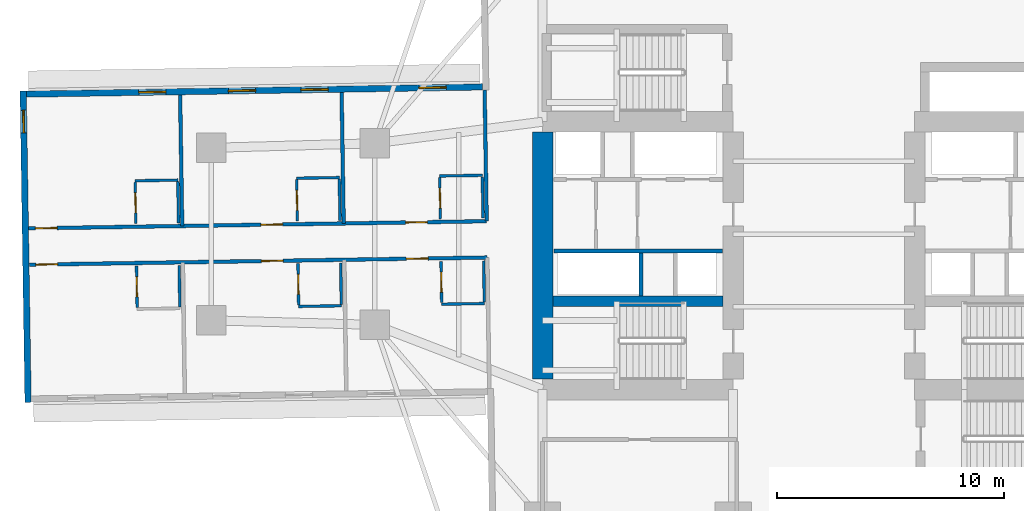
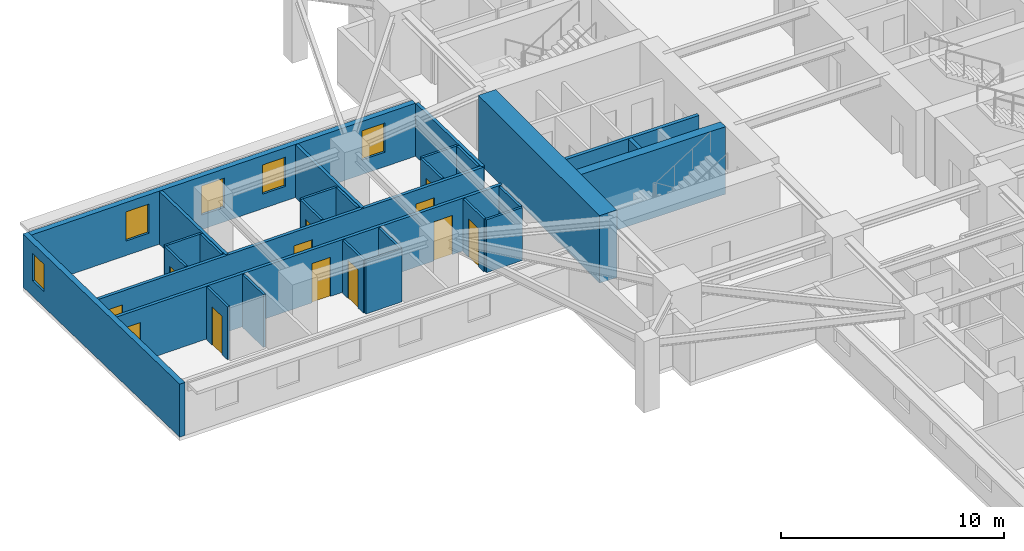
# One storey, part 5 of 14: 28 walls, 12 doors, 5 windows, 17 openings.
"""IFC4 building model written with IfcOpenShell, lengths in metres."""

from ifc_helpers import new_model, si_unit, direction, frame, frame_2d, origin, place, context, subcontext, project, spatial, rectangle, extrude, material, layer, layer_set, type_object, element, fill, save


model = new_model("IFC4")

# Units and contexts
model_context = context("Model", 3, precision=1e-05, world=origin(), true_north=direction((0.0, 1.0)))
body_context = subcontext(model_context, "Body", "Model", "MODEL_VIEW")
ifc_project = project(units=[si_unit("LENGTHUNIT", "METRE"), si_unit("AREAUNIT", "SQUARE_METRE"), si_unit("VOLUMEUNIT", "CUBIC_METRE"), si_unit("PLANEANGLEUNIT", "RADIAN"), si_unit("MASSUNIT", "GRAM", prefix="KILO")], contexts=[model_context])

# Site, building, storey
site_placement = place(None, origin())
site = spatial("IfcSite", under=ifc_project, at=site_placement, CompositionType="ELEMENT")
building_placement = place(site_placement, origin())
building = spatial("IfcBuilding", under=site, at=building_placement, Name="Qingluan Cross Belvedere", CompositionType="ELEMENT")
storey_placement = place(building_placement, frame((0.0, 0.0, 27.60009765625)))
storey = spatial("IfcBuildingStorey", under=building, at=storey_placement, Name="L07", CompositionType="ELEMENT", Elevation=27.60009765625)

# Walls
ifc_material_1 = material(Name="Concrete C50", Category="concrete")
ifc_layer_1 = layer(ifc_material_1, 0.449951171875, Name="CoreShearWall_450")
ifc_layer_set_1 = layer_set([ifc_layer_1], Name="Concrete C50")
wall_type_1 = type_object("IfcWallType", Name="CoreShearWall_450", PredefinedType="SHEAR", material=ifc_layer_set_1)
wall_1_placement = place(storey_placement, frame((-11.945068359375, -2.9599609375, 0.0), z_axis=(0.0, 0.0, 1.0), x_axis=(1.0, 0.0, 0.0)))
element("IfcWall", 1, at=wall_1_placement, inside=storey, type_object=wall_type_1, Name="Split core W shear wall L07-M", PredefinedType="SHEAR", context=body_context, shape_type="SweptSolid", body=[
    extrude(rectangle(XDim=7.489990234375, YDim=0.449951171875, at=frame_2d((3.7451171875, 0.0))), origin(), (0.0, 0.0, 1.0), 3.699951171875),
])
ifc_material_2 = material(Name="Concrete C70", Category="concrete")
ifc_layer_2 = layer(ifc_material_2, 0.89990234375, Name="CoreShearWall_900")
ifc_layer_set_2 = layer_set([ifc_layer_2], Name="Concrete C70")
wall_type_2 = type_object("IfcWallType", Name="CoreShearWall_900", PredefinedType="SHEAR", material=ifc_layer_set_2)
wall_2_placement = place(storey_placement, frame((-12.39990234375, -6.39501953125, 0.0), z_axis=(0.0, 0.0, 1.0), x_axis=(0.0, 1.0, 0.0)))
element("IfcWall", 2, at=wall_2_placement, inside=storey, type_object=wall_type_2, Name="Split core W shear wall L07-W", PredefinedType="SHEAR", context=body_context, shape_type="SweptSolid", body=[
    extrude(rectangle(XDim=10.89013671875, YDim=0.89990234375, at=frame_2d((5.445068359375, 0.0))), origin(), (0.0, 0.0, 1.0), 3.699951171875),
])

# Wall, openings, doors
ifc_material_3 = material(Name="Gypsum plasterboard on steel stud acoustic partition", Category="steel")
ifc_layer_3 = layer(ifc_material_3, 0.159912109375, Name="CorridorPartition_160")
ifc_layer_set_3 = layer_set([ifc_layer_3], Name="Gypsum plasterboard on steel stud acoustic partition")
wall_type_3 = type_object("IfcWallType", Name="CorridorPartition_160", PredefinedType="PARTITIONING", material=ifc_layer_set_3)
wall_3_placement = place(storey_placement, frame((-14.860595703125, 0.566650390625, 0.0), z_axis=(0.0, 0.0, 1.0), x_axis=(-0.999876530668, -0.015713797103, 0.0)))
wall_3 = element("IfcWall", 3, at=wall_3_placement, inside=storey, type_object=wall_type_3, Name="Partition L07:W:c0", PredefinedType="PARTITIONING", context=body_context, shape_type="SweptSolid", body=[
    extrude(rectangle(XDim=20.18212890625, YDim=0.159912109375, at=frame_2d((10.091064453125, 0.0))), origin(), (0.0, 0.0, 1.0), 2.89990234375),
])
opening_1_placement = place(wall_3_placement, frame((2.610107421875, 0.0, 0.0)))
opening_1 = element("IfcOpeningElement", 4, at=opening_1_placement, cuts=wall_3, Name="Opening GD-10", PredefinedType="OPENING", context=body_context, shape_type="SweptSolid", body=[
    extrude(rectangle(XDim=0.9599609375, YDim=2.14990234375, at=frame_2d((0.47998046875, 1.074951171875))), frame((0.0, 0.08984375, 0.0), z_axis=(0.0, -1.0, 0.0), x_axis=(1.0, 0.0, 0.0)), (0.0, 0.0, 1.0), 0.179931640625),
])
opening_2_placement = place(wall_3_placement, frame((8.993896484375, 0.0, 0.0)))
opening_2 = element("IfcOpeningElement", 5, at=opening_2_placement, cuts=wall_3, Name="Opening GD-10", PredefinedType="OPENING", context=body_context, shape_type="SweptSolid", body=[
    extrude(rectangle(XDim=0.9599609375, YDim=2.14990234375, at=frame_2d((0.47998046875, 1.074951171875))), frame((0.0, 0.08984375, 0.0), z_axis=(0.0, -1.0, 0.0), x_axis=(1.0, 0.0, 0.0)), (0.0, 0.0, 1.0), 0.179931640625),
])
opening_3_placement = place(wall_3_placement, frame((18.929931640625, 0.0, 0.0)))
opening_3 = element("IfcOpeningElement", 6, at=opening_3_placement, cuts=wall_3, Name="Opening GD-10", PredefinedType="OPENING", context=body_context, shape_type="SweptSolid", body=[
    extrude(rectangle(XDim=0.9599609375, YDim=2.14990234375, at=frame_2d((0.47998046875, 1.074951171875))), frame((0.0, 0.08984375, 0.0), z_axis=(0.0, -1.0, 0.0), x_axis=(1.0, 0.0, 0.0)), (0.0, 0.0, 1.0), 0.179931640625),
])
ifc_material_4 = material(Name="Timber oak fire-rated acoustic guestroom door", Category="wood")
door_type_1 = type_object("IfcDoorType", Name="GuestEntryDoor_FD60", OperationType="NOTDEFINED", PredefinedType="DOOR", material=ifc_material_4)
door_1_placement = place(opening_1_placement, origin())
door_1 = element("IfcDoor", 7, at=door_1_placement, inside=storey, type_object=door_type_1, Name="Guest entry fire door 0707", OperationType="SINGLE_SWING_LEFT", OverallHeight=2.14990234375, OverallWidth=0.9599609375, PredefinedType="DOOR", context=body_context, shape_type="SweptSolid", body=[
    extrude(rectangle(XDim=0.9599609375, YDim=2.14990234375, at=frame_2d((0.47998046875, 1.074951171875))), frame((0.0, 0.02490234375, 0.0), z_axis=(0.0, -1.0, 0.0), x_axis=(1.0, 0.0, 0.0)), (0.0, 0.0, 1.0), 0.050048828125),
])
fill(opening_1, door_1)
door_2_placement = place(opening_2_placement, origin())
door_2 = element("IfcDoor", 8, at=door_2_placement, inside=storey, type_object=door_type_1, Name="Guest entry fire door 0708", OperationType="SINGLE_SWING_LEFT", OverallHeight=2.14990234375, OverallWidth=0.9599609375, PredefinedType="DOOR", context=body_context, shape_type="SweptSolid", body=[
    extrude(rectangle(XDim=0.9599609375, YDim=2.14990234375, at=frame_2d((0.47998046875, 1.074951171875))), frame((0.0, 0.02490234375, 0.0), z_axis=(0.0, -1.0, 0.0), x_axis=(1.0, 0.0, 0.0)), (0.0, 0.0, 1.0), 0.050048828125),
])
fill(opening_2, door_2)
door_3_placement = place(opening_3_placement, origin())
door_3 = element("IfcDoor", 9, at=door_3_placement, inside=storey, type_object=door_type_1, Name="Guest entry fire door 0709", OperationType="SINGLE_SWING_LEFT", OverallHeight=2.14990234375, OverallWidth=0.9599609375, PredefinedType="DOOR", context=body_context, shape_type="SweptSolid", body=[
    extrude(rectangle(XDim=0.9599609375, YDim=2.14990234375, at=frame_2d((0.47998046875, 1.074951171875))), frame((0.0, 0.02490234375, 0.0), z_axis=(0.0, -1.0, 0.0), x_axis=(1.0, 0.0, 0.0)), (0.0, 0.0, 1.0), 0.050048828125),
])
fill(opening_3, door_3)

# Walls
for number, where, z_axis, x_axis, name in (
    (10, (-14.860595703125, 0.566650390625, 0.0), (0.0, 0.0, 1.0), (-0.015734758102, 0.999876201031, 0.0), "Partition L07:W:s0"),
    (11, (-21.162109375, 0.4677734375, 0.0), (0.0, 0.0, 1.0), (-0.015692470796, 0.999876865599, 0.0), "Partition L07:W:d0_0"),
    (12, (-28.277099609375, 0.35595703125, 0.0), (0.0, 0.0, 1.0), (-0.015734758102, 0.999876201031, 0.0), "Partition L07:W:d0_1"),
):
    element("IfcWall", number, at=place(storey_placement, frame(where, z_axis=z_axis, x_axis=x_axis)), inside=storey, type_object=wall_type_3, Name=name, PredefinedType="PARTITIONING", context=body_context, shape_type="SweptSolid", body=[
        extrude(rectangle(XDim=5.77197265625, YDim=0.159912109375, at=frame_2d((2.885986328125, 0.0))), origin(), (0.0, 0.0, 1.0), 2.89990234375),
    ])

# Wall, openings, doors
wall_4_placement = place(storey_placement, frame((-14.835693359375, -1.033203125, 0.0), z_axis=(0.0, 0.0, 1.0), x_axis=(-0.999876717676, -0.015701893165, 0.0)))
wall_4 = element("IfcWall", 13, at=wall_4_placement, inside=storey, type_object=wall_type_3, Name="Partition L07:W:c1", PredefinedType="PARTITIONING", context=body_context, shape_type="SweptSolid", body=[
    extrude(rectangle(XDim=20.181884765625, YDim=0.159912109375, at=frame_2d((10.0908203125, 0.0))), origin(), (0.0, 0.0, 1.0), 2.89990234375),
])
opening_4_placement = place(wall_4_placement, frame((2.610107421875, 0.0, 0.0)))
opening_4 = element("IfcOpeningElement", 14, at=opening_4_placement, cuts=wall_4, Name="Opening GD-10", PredefinedType="OPENING", context=body_context, shape_type="SweptSolid", body=[
    extrude(rectangle(XDim=0.9599609375, YDim=2.14990234375, at=frame_2d((0.47998046875, 1.074951171875))), frame((0.0, 0.08984375, 0.0), z_axis=(0.0, -1.0, 0.0), x_axis=(1.0, 0.0, 0.0)), (0.0, 0.0, 1.0), 0.179931640625),
])
opening_5_placement = place(wall_4_placement, frame((8.993896484375, 0.0, 0.0)))
opening_5 = element("IfcOpeningElement", 15, at=opening_5_placement, cuts=wall_4, Name="Opening GD-10", PredefinedType="OPENING", context=body_context, shape_type="SweptSolid", body=[
    extrude(rectangle(XDim=0.9599609375, YDim=2.14990234375, at=frame_2d((0.47998046875, 1.074951171875))), frame((0.0, 0.08984375, 0.0), z_axis=(0.0, -1.0, 0.0), x_axis=(1.0, 0.0, 0.0)), (0.0, 0.0, 1.0), 0.179931640625),
])
opening_6_placement = place(wall_4_placement, frame((18.929931640625, 0.0, 0.0)))
opening_6 = element("IfcOpeningElement", 16, at=opening_6_placement, cuts=wall_4, Name="Opening GD-10", PredefinedType="OPENING", context=body_context, shape_type="SweptSolid", body=[
    extrude(rectangle(XDim=0.9599609375, YDim=2.14990234375, at=frame_2d((0.47998046875, 1.074951171875))), frame((0.0, 0.08984375, 0.0), z_axis=(0.0, -1.0, 0.0), x_axis=(1.0, 0.0, 0.0)), (0.0, 0.0, 1.0), 0.179931640625),
])
door_4_placement = place(opening_4_placement, origin())
door_4 = element("IfcDoor", 17, at=door_4_placement, inside=storey, type_object=door_type_1, Name="Guest entry fire door 0710", OperationType="SINGLE_SWING_LEFT", OverallHeight=2.14990234375, OverallWidth=0.9599609375, PredefinedType="DOOR", context=body_context, shape_type="SweptSolid", body=[
    extrude(rectangle(XDim=0.9599609375, YDim=2.14990234375, at=frame_2d((0.47998046875, 1.074951171875))), frame((0.0, 0.02490234375, 0.0), z_axis=(0.0, -1.0, 0.0), x_axis=(1.0, 0.0, 0.0)), (0.0, 0.0, 1.0), 0.050048828125),
])
fill(opening_4, door_4)
door_5_placement = place(opening_5_placement, origin())
door_5 = element("IfcDoor", 18, at=door_5_placement, inside=storey, type_object=door_type_1, Name="Guest entry fire door 0711", OperationType="SINGLE_SWING_LEFT", OverallHeight=2.14990234375, OverallWidth=0.9599609375, PredefinedType="DOOR", context=body_context, shape_type="SweptSolid", body=[
    extrude(rectangle(XDim=0.9599609375, YDim=2.14990234375, at=frame_2d((0.47998046875, 1.074951171875))), frame((0.0, 0.02490234375, 0.0), z_axis=(0.0, -1.0, 0.0), x_axis=(1.0, 0.0, 0.0)), (0.0, 0.0, 1.0), 0.050048828125),
])
fill(opening_5, door_5)
door_6_placement = place(opening_6_placement, origin())
door_6 = element("IfcDoor", 19, at=door_6_placement, inside=storey, type_object=door_type_1, Name="Guest entry fire door 0712", OperationType="SINGLE_SWING_LEFT", OverallHeight=2.14990234375, OverallWidth=0.9599609375, PredefinedType="DOOR", context=body_context, shape_type="SweptSolid", body=[
    extrude(rectangle(XDim=0.9599609375, YDim=2.14990234375, at=frame_2d((0.47998046875, 1.074951171875))), frame((0.0, 0.02490234375, 0.0), z_axis=(0.0, -1.0, 0.0), x_axis=(1.0, 0.0, 0.0)), (0.0, 0.0, 1.0), 0.050048828125),
])
fill(opening_6, door_6)

# Wall, opening, door
ifc_material_5 = material(Name="Moisture-resistant gypsum board lining")
ifc_layer_4 = layer(ifc_material_5, 0.1201171875, Name="EnsuiteWetPartition_120")
ifc_layer_set_4 = layer_set([ifc_layer_4], Name="Moisture-resistant gypsum board lining")
wall_type_4 = type_object("IfcWallType", Name="EnsuiteWetPartition_120", PredefinedType="PARTITIONING", material=ifc_layer_set_4)
wall_5_placement = place(storey_placement, frame((-16.902587890625, 0.674560546875, 0.0), z_axis=(0.0, 0.0, 1.0), x_axis=(-0.015828443418, 0.999874722342, 0.0)))
wall_5 = element("IfcWall", 20, at=wall_5_placement, inside=storey, type_object=wall_type_4, Name="Partition L07:W:bs0_0", PredefinedType="PARTITIONING", context=body_context, shape_type="SweptSolid", body=[
    extrude(rectangle(XDim=1.820068359375, YDim=0.1201171875, at=frame_2d((0.91015625, 0.0))), origin(), (0.0, 0.0, 1.0), 2.89990234375),
])
opening_7_placement = place(wall_5_placement, frame((0.469970703125, 0.0, 0.0)))
opening_7 = element("IfcOpeningElement", 21, at=opening_7_placement, cuts=wall_5, Name="Opening BD-09", PredefinedType="OPENING", context=body_context, shape_type="SweptSolid", body=[
    extrude(rectangle(XDim=0.8798828125, YDim=2.10009765625, at=frame_2d((0.43994140625, 1.050048828125))), frame((0.0, 0.070068359375, 0.0), z_axis=(0.0, -1.0, 0.0), x_axis=(1.0, 0.0, 0.0)), (0.0, 0.0, 1.0), 0.14013671875),
])
ifc_material_6 = material(Name="Moisture-sealed timber en-suite door", Category="wood")
door_type_2 = type_object("IfcDoorType", Name="BathroomDoor_880", OperationType="NOTDEFINED", PredefinedType="DOOR", material=ifc_material_6)
door_7_placement = place(opening_7_placement, origin())
door_7 = element("IfcDoor", 22, at=door_7_placement, inside=storey, type_object=door_type_2, Name="Bathroom door 0707", OperationType="SINGLE_SWING_RIGHT", OverallHeight=2.10009765625, OverallWidth=0.8798828125, PredefinedType="DOOR", context=body_context, shape_type="SweptSolid", body=[
    extrude(rectangle(XDim=0.8798828125, YDim=2.10009765625, at=frame_2d((0.43994140625, 1.050048828125))), frame((0.0, 0.02490234375, 0.0), z_axis=(0.0, -1.0, 0.0), x_axis=(1.0, 0.0, 0.0)), (0.0, 0.0, 1.0), 0.050048828125),
])
fill(opening_7, door_7)

# Walls
wall_6_placement = place(storey_placement, frame((-15.02294921875, 0.7041015625, 0.0), z_axis=(0.0, 0.0, 1.0), x_axis=(-0.015694337248, 0.999876836305, 0.0)))
element("IfcWall", 23, at=wall_6_placement, inside=storey, type_object=wall_type_4, Name="Partition L07:W:bw0_0", PredefinedType="PARTITIONING", context=body_context, shape_type="SweptSolid", body=[
    extrude(rectangle(XDim=1.820068359375, YDim=0.1201171875, at=frame_2d((0.91015625, 0.0))), origin(), (0.0, 0.0, 1.0), 2.89990234375),
])
wall_7_placement = place(storey_placement, frame((-15.052490234375, 2.5888671875, 0.0), z_axis=(0.0, 0.0, 1.0), x_axis=(-0.999876553475, -0.01571234584, 0.0)))
element("IfcWall", 24, at=wall_7_placement, inside=storey, type_object=wall_type_4, Name="Partition L07:W:bn0_0", PredefinedType="PARTITIONING", context=body_context, shape_type="SweptSolid", body=[
    extrude(rectangle(XDim=1.880126953125, YDim=0.1201171875, at=frame_2d((0.93994140625, 0.0))), origin(), (0.0, 0.0, 1.0), 2.89990234375),
])

# Wall, opening, door
wall_8_placement = place(storey_placement, frame((-23.203857421875, 0.57568359375, 0.0), z_axis=(0.0, 0.0, 1.0), x_axis=(-0.015694337248, 0.999876836305, 0.0)))
wall_8 = element("IfcWall", 25, at=wall_8_placement, inside=storey, type_object=wall_type_4, Name="Partition L07:W:bs0_1", PredefinedType="PARTITIONING", context=body_context, shape_type="SweptSolid", body=[
    extrude(rectangle(XDim=1.820068359375, YDim=0.1201171875, at=frame_2d((0.91015625, 0.0))), origin(), (0.0, 0.0, 1.0), 2.89990234375),
])
opening_8_placement = place(wall_8_placement, frame((0.469970703125, 0.0, 0.0)))
opening_8 = element("IfcOpeningElement", 26, at=opening_8_placement, cuts=wall_8, Name="Opening BD-09", PredefinedType="OPENING", context=body_context, shape_type="SweptSolid", body=[
    extrude(rectangle(XDim=0.8798828125, YDim=2.10009765625, at=frame_2d((0.43994140625, 1.050048828125))), frame((0.0, 0.070068359375, 0.0), z_axis=(0.0, -1.0, 0.0), x_axis=(1.0, 0.0, 0.0)), (0.0, 0.0, 1.0), 0.14013671875),
])
door_8_placement = place(opening_8_placement, origin())
door_8 = element("IfcDoor", 27, at=door_8_placement, inside=storey, type_object=door_type_2, Name="Bathroom door 0708", OperationType="SINGLE_SWING_RIGHT", OverallHeight=2.10009765625, OverallWidth=0.8798828125, PredefinedType="DOOR", context=body_context, shape_type="SweptSolid", body=[
    extrude(rectangle(XDim=0.8798828125, YDim=2.10009765625, at=frame_2d((0.43994140625, 1.050048828125))), frame((0.0, 0.02490234375, 0.0), z_axis=(0.0, -1.0, 0.0), x_axis=(1.0, 0.0, 0.0)), (0.0, 0.0, 1.0), 0.050048828125),
])
fill(opening_8, door_8)

# Walls
wall_9_placement = place(storey_placement, frame((-21.32421875, 0.60498046875, 0.0), z_axis=(0.0, 0.0, 1.0), x_axis=(-0.015694337248, 0.999876836305, 0.0)))
element("IfcWall", 28, at=wall_9_placement, inside=storey, type_object=wall_type_4, Name="Partition L07:W:bw0_1", PredefinedType="PARTITIONING", context=body_context, shape_type="SweptSolid", body=[
    extrude(rectangle(XDim=1.820068359375, YDim=0.1201171875, at=frame_2d((0.91015625, 0.0))), origin(), (0.0, 0.0, 1.0), 2.89990234375),
])
wall_10_placement = place(storey_placement, frame((-21.353759765625, 2.489990234375, 0.0), z_axis=(0.0, 0.0, 1.0), x_axis=(-0.99987652141, -0.015714386166, 0.0)))
element("IfcWall", 29, at=wall_10_placement, inside=storey, type_object=wall_type_4, Name="Partition L07:W:bn0_1", PredefinedType="PARTITIONING", context=body_context, shape_type="SweptSolid", body=[
    extrude(rectangle(XDim=1.8798828125, YDim=0.1201171875, at=frame_2d((0.93994140625, 0.0))), origin(), (0.0, 0.0, 1.0), 2.89990234375),
])

# Wall, opening, door
wall_11_placement = place(storey_placement, frame((-30.319091796875, 0.4638671875, 0.0), z_axis=(0.0, 0.0, 1.0), x_axis=(-0.015694337248, 0.999876836305, 0.0)))
wall_11 = element("IfcWall", 30, at=wall_11_placement, inside=storey, type_object=wall_type_4, Name="Partition L07:W:bs0_2", PredefinedType="PARTITIONING", context=body_context, shape_type="SweptSolid", body=[
    extrude(rectangle(XDim=1.820068359375, YDim=0.1201171875, at=frame_2d((0.91015625, 0.0))), origin(), (0.0, 0.0, 1.0), 2.89990234375),
])
opening_9_placement = place(wall_11_placement, frame((0.469970703125, 0.0, 0.0)))
opening_9 = element("IfcOpeningElement", 31, at=opening_9_placement, cuts=wall_11, Name="Opening BD-09", PredefinedType="OPENING", context=body_context, shape_type="SweptSolid", body=[
    extrude(rectangle(XDim=0.8798828125, YDim=2.10009765625, at=frame_2d((0.43994140625, 1.050048828125))), frame((0.0, 0.070068359375, 0.0), z_axis=(0.0, -1.0, 0.0), x_axis=(1.0, 0.0, 0.0)), (0.0, 0.0, 1.0), 0.14013671875),
])
door_9_placement = place(opening_9_placement, origin())
door_9 = element("IfcDoor", 32, at=door_9_placement, inside=storey, type_object=door_type_2, Name="Bathroom door 0709", OperationType="SINGLE_SWING_RIGHT", OverallHeight=2.10009765625, OverallWidth=0.8798828125, PredefinedType="DOOR", context=body_context, shape_type="SweptSolid", body=[
    extrude(rectangle(XDim=0.8798828125, YDim=2.10009765625, at=frame_2d((0.43994140625, 1.050048828125))), frame((0.0, 0.02490234375, 0.0), z_axis=(0.0, -1.0, 0.0), x_axis=(1.0, 0.0, 0.0)), (0.0, 0.0, 1.0), 0.050048828125),
])
fill(opening_9, door_9)

# Walls
wall_12_placement = place(storey_placement, frame((-28.439208984375, 0.493408203125, 0.0), z_axis=(0.0, 0.0, 1.0), x_axis=(-0.015696442504, 0.999876803258, 0.0)))
element("IfcWall", 33, at=wall_12_placement, inside=storey, type_object=wall_type_4, Name="Partition L07:W:bw0_2", PredefinedType="PARTITIONING", context=body_context, shape_type="SweptSolid", body=[
    extrude(rectangle(XDim=1.81982421875, YDim=0.1201171875, at=frame_2d((0.909912109375, 0.0))), origin(), (0.0, 0.0, 1.0), 2.89990234375),
])
wall_13_placement = place(storey_placement, frame((-28.468994140625, 2.378173828125, 0.0), z_axis=(0.0, 0.0, 1.0), x_axis=(-0.99987652141, -0.015714386166, 0.0)))
element("IfcWall", 34, at=wall_13_placement, inside=storey, type_object=wall_type_4, Name="Partition L07:W:bn0_2", PredefinedType="PARTITIONING", context=body_context, shape_type="SweptSolid", body=[
    extrude(rectangle(XDim=1.8798828125, YDim=0.1201171875, at=frame_2d((0.93994140625, 0.0))), origin(), (0.0, 0.0, 1.0), 2.89990234375),
])

# Wall, opening, door
wall_14_placement = place(storey_placement, frame((-16.844482421875, -3.02490234375, 0.0), z_axis=(0.0, 0.0, 1.0), x_axis=(-0.015828443418, 0.999874722342, 0.0)))
wall_14 = element("IfcWall", 35, at=wall_14_placement, inside=storey, type_object=wall_type_4, Name="Partition L07:W:bs1_0", PredefinedType="PARTITIONING", context=body_context, shape_type="SweptSolid", body=[
    extrude(rectangle(XDim=1.820068359375, YDim=0.1201171875, at=frame_2d((0.91015625, 0.0))), origin(), (0.0, 0.0, 1.0), 2.89990234375),
])
opening_10_placement = place(wall_14_placement, frame((0.469970703125, 0.0, 0.0)))
opening_10 = element("IfcOpeningElement", 36, at=opening_10_placement, cuts=wall_14, Name="Opening BD-09", PredefinedType="OPENING", context=body_context, shape_type="SweptSolid", body=[
    extrude(rectangle(XDim=0.8798828125, YDim=2.10009765625, at=frame_2d((0.43994140625, 1.050048828125))), frame((0.0, 0.070068359375, 0.0), z_axis=(0.0, -1.0, 0.0), x_axis=(1.0, 0.0, 0.0)), (0.0, 0.0, 1.0), 0.14013671875),
])
door_10_placement = place(opening_10_placement, origin())
door_10 = element("IfcDoor", 37, at=door_10_placement, inside=storey, type_object=door_type_2, Name="Bathroom door 0710", OperationType="SINGLE_SWING_RIGHT", OverallHeight=2.10009765625, OverallWidth=0.8798828125, PredefinedType="DOOR", context=body_context, shape_type="SweptSolid", body=[
    extrude(rectangle(XDim=0.8798828125, YDim=2.10009765625, at=frame_2d((0.43994140625, 1.050048828125))), frame((0.0, 0.02490234375, 0.0), z_axis=(0.0, -1.0, 0.0), x_axis=(1.0, 0.0, 0.0)), (0.0, 0.0, 1.0), 0.050048828125),
])
fill(opening_10, door_10)

# Walls
wall_15_placement = place(storey_placement, frame((-14.96484375, -2.995361328125, 0.0), z_axis=(0.0, 0.0, 1.0), x_axis=(-0.015696442504, 0.999876803258, 0.0)))
element("IfcWall", 38, at=wall_15_placement, inside=storey, type_object=wall_type_4, Name="Partition L07:W:bw1_0", PredefinedType="PARTITIONING", context=body_context, shape_type="SweptSolid", body=[
    extrude(rectangle(XDim=1.81982421875, YDim=0.1201171875, at=frame_2d((0.909912109375, 0.0))), origin(), (0.0, 0.0, 1.0), 2.89990234375),
])
wall_16_placement = place(storey_placement, frame((-14.9638671875, -3.060302734375, 0.0), z_axis=(0.0, 0.0, 1.0), x_axis=(-0.99987652141, -0.015714386166, 0.0)))
element("IfcWall", 39, at=wall_16_placement, inside=storey, type_object=wall_type_4, Name="Partition L07:W:bc1_0", PredefinedType="PARTITIONING", context=body_context, shape_type="SweptSolid", body=[
    extrude(rectangle(XDim=1.8798828125, YDim=0.1201171875, at=frame_2d((0.93994140625, 0.0))), origin(), (0.0, 0.0, 1.0), 2.89990234375),
])

# Wall, opening, door
wall_17_placement = place(storey_placement, frame((-23.145751953125, -3.123779296875, 0.0), z_axis=(0.0, 0.0, 1.0), x_axis=(-0.015696442504, 0.999876803258, 0.0)))
wall_17 = element("IfcWall", 40, at=wall_17_placement, inside=storey, type_object=wall_type_4, Name="Partition L07:W:bs1_1", PredefinedType="PARTITIONING", context=body_context, shape_type="SweptSolid", body=[
    extrude(rectangle(XDim=1.81982421875, YDim=0.1201171875, at=frame_2d((0.909912109375, 0.0))), origin(), (0.0, 0.0, 1.0), 2.89990234375),
])
opening_11_placement = place(wall_17_placement, frame((0.469970703125, 0.0, 0.0)))
opening_11 = element("IfcOpeningElement", 41, at=opening_11_placement, cuts=wall_17, Name="Opening BD-09", PredefinedType="OPENING", context=body_context, shape_type="SweptSolid", body=[
    extrude(rectangle(XDim=0.8798828125, YDim=2.10009765625, at=frame_2d((0.43994140625, 1.050048828125))), frame((0.0, 0.070068359375, 0.0), z_axis=(0.0, -1.0, 0.0), x_axis=(1.0, 0.0, 0.0)), (0.0, 0.0, 1.0), 0.14013671875),
])
door_11_placement = place(opening_11_placement, origin())
door_11 = element("IfcDoor", 42, at=door_11_placement, inside=storey, type_object=door_type_2, Name="Bathroom door 0711", OperationType="SINGLE_SWING_RIGHT", OverallHeight=2.10009765625, OverallWidth=0.8798828125, PredefinedType="DOOR", context=body_context, shape_type="SweptSolid", body=[
    extrude(rectangle(XDim=0.8798828125, YDim=2.10009765625, at=frame_2d((0.43994140625, 1.050048828125))), frame((0.0, 0.02490234375, 0.0), z_axis=(0.0, -1.0, 0.0), x_axis=(1.0, 0.0, 0.0)), (0.0, 0.0, 1.0), 0.050048828125),
])
fill(opening_11, door_11)

# Walls
wall_18_placement = place(storey_placement, frame((-21.26611328125, -3.094482421875, 0.0), z_axis=(0.0, 0.0, 1.0), x_axis=(-0.015694337248, 0.999876836305, 0.0)))
element("IfcWall", 43, at=wall_18_placement, inside=storey, type_object=wall_type_4, Name="Partition L07:W:bw1_1", PredefinedType="PARTITIONING", context=body_context, shape_type="SweptSolid", body=[
    extrude(rectangle(XDim=1.820068359375, YDim=0.1201171875, at=frame_2d((0.91015625, 0.0))), origin(), (0.0, 0.0, 1.0), 2.89990234375),
])
wall_19_placement = place(storey_placement, frame((-21.264892578125, -3.159423828125, 0.0), z_axis=(0.0, 0.0, 1.0), x_axis=(-0.999876553475, -0.01571234584, 0.0)))
element("IfcWall", 44, at=wall_19_placement, inside=storey, type_object=wall_type_4, Name="Partition L07:W:bc1_1", PredefinedType="PARTITIONING", context=body_context, shape_type="SweptSolid", body=[
    extrude(rectangle(XDim=1.880126953125, YDim=0.1201171875, at=frame_2d((0.93994140625, 0.0))), origin(), (0.0, 0.0, 1.0), 2.89990234375),
])

# Wall, opening, door
wall_20_placement = place(storey_placement, frame((-30.260986328125, -3.235595703125, 0.0), z_axis=(0.0, 0.0, 1.0), x_axis=(-0.015696442504, 0.999876803258, 0.0)))
wall_20 = element("IfcWall", 45, at=wall_20_placement, inside=storey, type_object=wall_type_4, Name="Partition L07:W:bs1_2", PredefinedType="PARTITIONING", context=body_context, shape_type="SweptSolid", body=[
    extrude(rectangle(XDim=1.81982421875, YDim=0.1201171875, at=frame_2d((0.909912109375, 0.0))), origin(), (0.0, 0.0, 1.0), 2.89990234375),
])
opening_12_placement = place(wall_20_placement, frame((0.469970703125, 0.0, 0.0)))
opening_12 = element("IfcOpeningElement", 46, at=opening_12_placement, cuts=wall_20, Name="Opening BD-09", PredefinedType="OPENING", context=body_context, shape_type="SweptSolid", body=[
    extrude(rectangle(XDim=0.8798828125, YDim=2.10009765625, at=frame_2d((0.43994140625, 1.050048828125))), frame((0.0, 0.070068359375, 0.0), z_axis=(0.0, -1.0, 0.0), x_axis=(1.0, 0.0, 0.0)), (0.0, 0.0, 1.0), 0.14013671875),
])
door_12_placement = place(opening_12_placement, origin())
door_12 = element("IfcDoor", 47, at=door_12_placement, inside=storey, type_object=door_type_2, Name="Bathroom door 0712", OperationType="SINGLE_SWING_RIGHT", OverallHeight=2.10009765625, OverallWidth=0.8798828125, PredefinedType="DOOR", context=body_context, shape_type="SweptSolid", body=[
    extrude(rectangle(XDim=0.8798828125, YDim=2.10009765625, at=frame_2d((0.43994140625, 1.050048828125))), frame((0.0, 0.02490234375, 0.0), z_axis=(0.0, -1.0, 0.0), x_axis=(1.0, 0.0, 0.0)), (0.0, 0.0, 1.0), 0.050048828125),
])
fill(opening_12, door_12)

# Wall
wall_21_placement = place(storey_placement, frame((-28.381103515625, -3.206298828125, 0.0), z_axis=(0.0, 0.0, 1.0), x_axis=(-0.015694337248, 0.999876836305, 0.0)))
element("IfcWall", 48, at=wall_21_placement, inside=storey, type_object=wall_type_4, Name="Partition L07:W:bw1_2", PredefinedType="PARTITIONING", context=body_context, shape_type="SweptSolid", body=[
    extrude(rectangle(XDim=1.820068359375, YDim=0.1201171875, at=frame_2d((0.91015625, 0.0))), origin(), (0.0, 0.0, 1.0), 2.89990234375),
])

# Wall, openings, windows
ifc_material_7 = material(Name="Precast concrete C45", Category="concrete")
ifc_layer_5 = layer(ifc_material_7, 0.280029296875, Name="PrecastFacadeWall_280")
ifc_layer_set_5 = layer_set([ifc_layer_5], Name="Precast concrete C45")
wall_type_5 = type_object("IfcWallType", Name="PrecastFacadeWall_280", PredefinedType="STANDARD", material=ifc_layer_set_5)
wall_22_placement = place(storey_placement, frame((-15.043701171875, 6.484619140625, 0.0), z_axis=(0.0, 0.0, 1.0), x_axis=(-0.999876474133, -0.01571739401, 0.0)))
wall_22 = element("IfcWall", 49, at=wall_22_placement, inside=storey, type_object=wall_type_5, Name="Facade wall L07-WA", PredefinedType="STANDARD", context=body_context, shape_type="SweptSolid", body=[
    extrude(rectangle(XDim=20.099853515625, YDim=0.280029296875, at=frame_2d((10.0498046875, 0.0))), origin(), (0.0, 0.0, 1.0), 2.909912109375),
])
opening_13_placement = place(wall_22_placement, frame((1.60009765625, 0.0, 0.800048828125)))
opening_13 = element("IfcOpeningElement", 50, at=opening_13_placement, cuts=wall_22, Name="Opening W-02", PredefinedType="OPENING", context=body_context, shape_type="SweptSolid", body=[
    extrude(rectangle(XDim=1.199951171875, YDim=1.60009765625, at=frame_2d((0.60009765625, 0.800048828125))), frame((0.0, 0.14990234375, 0.0), z_axis=(0.0, -1.0, 0.0), x_axis=(1.0, 0.0, 0.0)), (0.0, 0.0, 1.0), 0.300048828125),
])
opening_14_placement = place(wall_22_placement, frame((6.800048828125, 0.0, 0.800048828125)))
opening_14 = element("IfcOpeningElement", 51, at=opening_14_placement, cuts=wall_22, Name="Opening W-02", PredefinedType="OPENING", context=body_context, shape_type="SweptSolid", body=[
    extrude(rectangle(XDim=1.199951171875, YDim=1.60009765625, at=frame_2d((0.60009765625, 0.800048828125))), frame((0.0, 0.14990234375, 0.0), z_axis=(0.0, -1.0, 0.0), x_axis=(1.0, 0.0, 0.0)), (0.0, 0.0, 1.0), 0.300048828125),
])
opening_15_placement = place(wall_22_placement, frame((10.0, 0.0, 0.800048828125)))
opening_15 = element("IfcOpeningElement", 52, at=opening_15_placement, cuts=wall_22, Name="Opening W-02", PredefinedType="OPENING", context=body_context, shape_type="SweptSolid", body=[
    extrude(rectangle(XDim=1.199951171875, YDim=1.60009765625, at=frame_2d((0.60009765625, 0.800048828125))), frame((0.0, 0.14990234375, 0.0), z_axis=(0.0, -1.0, 0.0), x_axis=(1.0, 0.0, 0.0)), (0.0, 0.0, 1.0), 0.300048828125),
])
opening_16_placement = place(wall_22_placement, frame((13.949951171875, 0.0, 0.800048828125)))
opening_16 = element("IfcOpeningElement", 53, at=opening_16_placement, cuts=wall_22, Name="Opening W-02", PredefinedType="OPENING", context=body_context, shape_type="SweptSolid", body=[
    extrude(rectangle(XDim=1.199951171875, YDim=1.60009765625, at=frame_2d((0.60009765625, 0.800048828125))), frame((0.0, 0.14990234375, 0.0), z_axis=(0.0, -1.0, 0.0), x_axis=(1.0, 0.0, 0.0)), (0.0, 0.0, 1.0), 0.300048828125),
])
ifc_material_8 = material(Name="Thermally broken triple Low-E glass in aluminium frame", Category="aluminium")
window_type_1 = type_object("IfcWindowType", Name="TriRibbonWin_1200x1600", PartitioningType="SINGLE_PANEL", PredefinedType="WINDOW", material=ifc_material_8)
window_1_placement = place(opening_13_placement, origin())
window_1 = element("IfcWindow", 54, at=window_1_placement, inside=storey, type_object=window_type_1, Name="Ribbon window L07-WA-1", OverallHeight=1.60009765625, OverallWidth=1.199951171875, PartitioningType="SINGLE_PANEL", PredefinedType="WINDOW", context=body_context, shape_type="SweptSolid", body=[
    extrude(rectangle(XDim=1.199951171875, YDim=1.60009765625, at=frame_2d((0.60009765625, 0.800048828125))), frame((0.0, 0.030029296875, 0.0), z_axis=(0.0, -1.0, 0.0), x_axis=(1.0, 0.0, 0.0)), (0.0, 0.0, 1.0), 0.06005859375),
])
fill(opening_13, window_1)
window_2_placement = place(opening_14_placement, origin())
window_2 = element("IfcWindow", 55, at=window_2_placement, inside=storey, type_object=window_type_1, Name="Ribbon window L07-WA-2", OverallHeight=1.60009765625, OverallWidth=1.199951171875, PartitioningType="SINGLE_PANEL", PredefinedType="WINDOW", context=body_context, shape_type="SweptSolid", body=[
    extrude(rectangle(XDim=1.199951171875, YDim=1.60009765625, at=frame_2d((0.60009765625, 0.800048828125))), frame((0.0, 0.030029296875, 0.0), z_axis=(0.0, -1.0, 0.0), x_axis=(1.0, 0.0, 0.0)), (0.0, 0.0, 1.0), 0.06005859375),
])
fill(opening_14, window_2)
window_3_placement = place(opening_15_placement, origin())
window_3 = element("IfcWindow", 56, at=window_3_placement, inside=storey, type_object=window_type_1, Name="Ribbon window L07-WA-3", OverallHeight=1.60009765625, OverallWidth=1.199951171875, PartitioningType="SINGLE_PANEL", PredefinedType="WINDOW", context=body_context, shape_type="SweptSolid", body=[
    extrude(rectangle(XDim=1.199951171875, YDim=1.60009765625, at=frame_2d((0.60009765625, 0.800048828125))), frame((0.0, 0.030029296875, 0.0), z_axis=(0.0, -1.0, 0.0), x_axis=(1.0, 0.0, 0.0)), (0.0, 0.0, 1.0), 0.06005859375),
])
fill(opening_15, window_3)
window_4_placement = place(opening_16_placement, origin())
window_4 = element("IfcWindow", 57, at=window_4_placement, inside=storey, type_object=window_type_1, Name="Ribbon window L07-WA-4", OverallHeight=1.60009765625, OverallWidth=1.199951171875, PartitioningType="SINGLE_PANEL", PredefinedType="WINDOW", context=body_context, shape_type="SweptSolid", body=[
    extrude(rectangle(XDim=1.199951171875, YDim=1.60009765625, at=frame_2d((0.60009765625, 0.800048828125))), frame((0.0, 0.030029296875, 0.0), z_axis=(0.0, -1.0, 0.0), x_axis=(1.0, 0.0, 0.0)), (0.0, 0.0, 1.0), 0.06005859375),
])
fill(opening_16, window_4)

# Wall, opening, window
wall_23_placement = place(storey_placement, frame((-35.283447265625, 6.306640625, 0.0), z_axis=(0.0, 0.0, 1.0), x_axis=(0.015712599986, -0.999876549481, 0.0)))
wall_23 = element("IfcWall", 58, at=wall_23_placement, inside=storey, type_object=wall_type_5, Name="Arm tip precast facade wall L07-W", PredefinedType="STANDARD", context=body_context, shape_type="SweptSolid", body=[
    extrude(rectangle(XDim=13.719970703125, YDim=0.280029296875, at=frame_2d((6.85986328125, 0.0))), origin(), (0.0, 0.0, 1.0), 2.909912109375),
])
opening_17_placement = place(wall_23_placement, frame((0.85009765625, 0.0, 0.85009765625)))
opening_17 = element("IfcOpeningElement", 59, at=opening_17_placement, cuts=wall_23, Name="Opening W-03", PredefinedType="OPENING", context=body_context, shape_type="SweptSolid", body=[
    extrude(rectangle(XDim=1.0, YDim=1.5, at=frame_2d((0.5, 0.75))), frame((0.0, 0.14990234375, 0.0), z_axis=(0.0, -1.0, 0.0), x_axis=(1.0, 0.0, 0.0)), (0.0, 0.0, 1.0), 0.300048828125),
])
ifc_material_9 = material(Name="Thermally broken triple Low-E glass in aluminium frame", Category="aluminium")
window_type_2 = type_object("IfcWindowType", Name="TriApexWin_1000x1500", PartitioningType="SINGLE_PANEL", PredefinedType="WINDOW", material=ifc_material_9)
window_5_placement = place(opening_17_placement, origin())
window_5 = element("IfcWindow", 60, at=window_5_placement, inside=storey, type_object=window_type_2, Name="Arm tip triangular window L07-W", OverallHeight=1.5, OverallWidth=1.0, PartitioningType="SINGLE_PANEL", PredefinedType="WINDOW", context=body_context, shape_type="SweptSolid", body=[
    extrude(rectangle(XDim=1.0, YDim=1.5, at=frame_2d((0.5, 0.75))), frame((0.0, 0.030029296875, 0.0), z_axis=(0.0, -1.0, 0.0), x_axis=(1.0, 0.0, 0.0)), (0.0, 0.0, 1.0), 0.06005859375),
])
fill(opening_17, window_5)

# Walls
ifc_material_10 = material(Name="Concrete C40", Category="concrete")
ifc_layer_6 = layer(ifc_material_10, 0.219970703125, Name="ShaftEnclosureWall_250")
ifc_layer_set_6 = layer_set([ifc_layer_6], Name="Concrete C40")
wall_type_6 = type_object("IfcWallType", Name="ShaftEnclosureWall_250", PredefinedType="SOLIDWALL", material=ifc_layer_set_6)
wall_24_placement = place(storey_placement, frame((-11.89990234375, -0.75, 0.0), z_axis=(0.0, 0.0, 1.0), x_axis=(1.0, 0.0, 0.0)))
element("IfcWall", 61, at=wall_24_placement, inside=storey, type_object=wall_type_6, Name="Core-W mid hoistway wall L07", PredefinedType="SOLIDWALL", context=body_context, shape_type="SweptSolid", body=[
    extrude(rectangle(XDim=7.419921875, YDim=0.179931640625, at=frame_2d((3.7099609375, 0.0))), origin(), (0.0, 0.0, 1.0), 2.89990234375),
])
wall_25_placement = place(storey_placement, frame((-8.06005859375, -2.72998046875, 0.0), z_axis=(0.0, 0.0, 1.0), x_axis=(0.0, 1.0, 0.0)))
element("IfcWall", 62, at=wall_25_placement, inside=storey, type_object=wall_type_6, Name="Hoistway enclosure divider LP6E L07", PredefinedType="SOLIDWALL", context=body_context, shape_type="SweptSolid", body=[
    extrude(rectangle(XDim=1.889892578125, YDim=0.179931640625, at=frame_2d((0.94482421875, 0.0))), origin(), (0.0, 0.0, 1.0), 2.89990234375),
])

save(model, "model.ifc")
